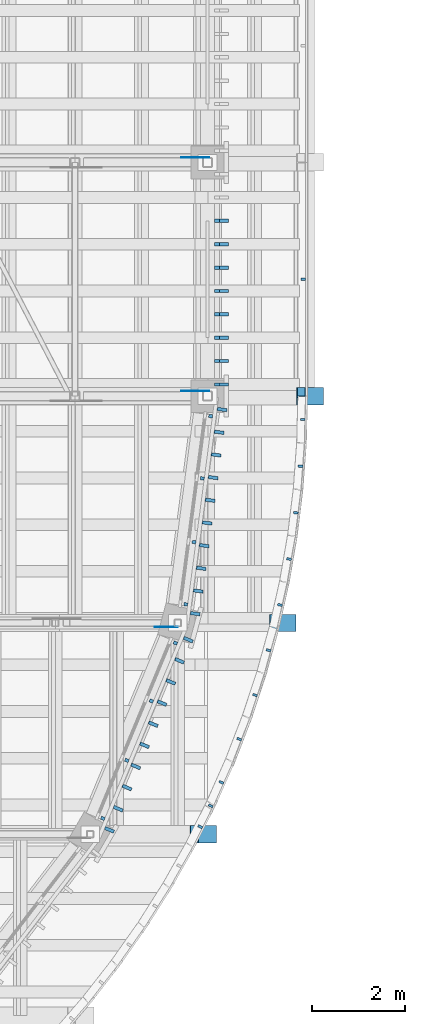
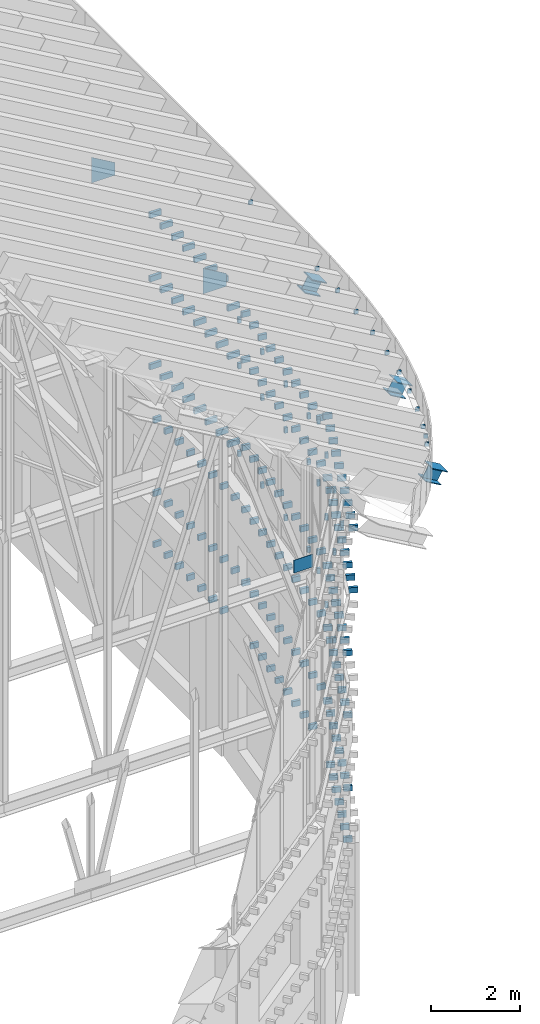
# One storey, part 72 of 105: 196 discrete accessories.
"""IFC4 building model written with IfcOpenShell, lengths in metres."""

import ifcopenshell
import ifcopenshell.guid

model = None  # the IFC model being written
_history = None  # IfcOwnerHistory: only IFC2X3 demands one
_inside = {}  # id of a spatial element -> (the spatial element, [elements in it])
_under = {}  # id of a project, library or spatial element -> (it, [spatial elements below it])
_declared = {}  # id of a project -> (the project, [libraries it declares])
_typed = {}  # id of a type object -> (the type object, [elements of that type])
_made_of = {}  # id of a material, layer set ... -> (it, [elements and type objects made of it])


def new_model(schema):
    """Start an empty IFC model of exactly this schema.

    Asked for "IFC4X3", IfcOpenShell would pick the latest addendum, in which some entities
    have other attributes; the version numbers below select the first issue.
    IFC2X3 requires an IfcOwnerHistory on every rooted entity: one is made here for all.
    """
    global model, _history
    if schema == "IFC4X3":
        model = ifcopenshell.file(schema_version=(4, 3, 0, 0))
    else:
        model = ifcopenshell.file(schema=schema)
    _inside.clear()
    _under.clear()
    _declared.clear()
    _typed.clear()
    _made_of.clear()
    _history = None
    if model.schema == "IFC2X3":
        org = make("IfcOrganization", Name="unknown")
        user = make(
            "IfcPersonAndOrganization",
            ThePerson=make("IfcPerson", FamilyName="unknown"),
            TheOrganization=org,
        )
        app = make(
            "IfcApplication",
            ApplicationDeveloper=org,
            Version="unknown",
            ApplicationFullName="unknown",
            ApplicationIdentifier="unknown",
        )
        _history = make(
            "IfcOwnerHistory",
            OwningUser=user,
            OwningApplication=app,
            ChangeAction="ADDED",
            CreationDate=0,
        )
    return model


def make(cls, **values):
    """One entity of the class cls with the attributes given. An attribute that is None is left unset."""
    return model.create_entity(
        cls, **{name: value for name, value in values.items() if value is not None}
    )


def rooted(cls, **values):
    """An entity with a GlobalId (a new one), such as an element, a storey or a relation."""
    return make(cls, GlobalId=ifcopenshell.guid.new(), OwnerHistory=_history, **values)


def si_unit(unit_type, name, prefix=None):
    """IfcSIUnit, for example si_unit("LENGTHUNIT", "METRE", prefix="MILLI")."""
    return make("IfcSIUnit", UnitType=unit_type, Prefix=prefix, Name=name)


def assignment(units):
    """IfcUnitAssignment: the units of a project."""
    return None if units is None else make("IfcUnitAssignment", Units=units)


def point(xyz):
    """IfcCartesianPoint."""
    return None if xyz is None else make("IfcCartesianPoint", Coordinates=xyz)


def direction(xyz):
    """IfcDirection."""
    return None if xyz is None else make("IfcDirection", DirectionRatios=xyz)


def frame(location, z_axis=None, x_axis=None):
    """IfcAxis2Placement3D, a coordinate frame: its origin and axes. An axis left out is left unset."""
    return make(
        "IfcAxis2Placement3D",
        Location=point(location),
        Axis=direction(z_axis),
        RefDirection=direction(x_axis),
    )


def frame_2d(location, x_axis=None):
    """IfcAxis2Placement2D, a coordinate frame in the plane: its origin and x axis."""
    return make(
        "IfcAxis2Placement2D", Location=point(location), RefDirection=direction(x_axis)
    )


def origin():
    """The frame at (0, 0, 0) with its axes left unset."""
    return frame((0.0, 0.0, 0.0))


def origin_2d():
    """The frame at (0, 0) in the plane with its x axis left unset."""
    return frame_2d((0.0, 0.0))


def place(relative_to, where):
    """IfcLocalPlacement: puts the frame where relative to a parent placement (None: the world)."""
    return make(
        "IfcLocalPlacement", PlacementRelTo=relative_to, RelativePlacement=where
    )


def context(
    kind, dimensions, precision=None, world=None, true_north=None, identifier=None
):
    """IfcGeometricRepresentationContext, for example the 3D "Model" context."""
    return make(
        "IfcGeometricRepresentationContext",
        ContextIdentifier=identifier,
        ContextType=kind,
        CoordinateSpaceDimension=dimensions,
        Precision=precision,
        WorldCoordinateSystem=world,
        TrueNorth=true_north,
    )


def subcontext(parent, identifier, kind, view, scale=None):
    """IfcGeometricRepresentationSubContext, for example "Body" below "Model"."""
    return make(
        "IfcGeometricRepresentationSubContext",
        ContextIdentifier=identifier,
        ContextType=kind,
        ParentContext=parent,
        TargetScale=scale,
        TargetView=view,
    )


def project(units=None, contexts=None):
    """IfcProject with its units and contexts."""
    return rooted(
        "IfcProject",
        Name="project",
        RepresentationContexts=contexts,
        UnitsInContext=assignment(units),
    )


def spatial(cls, under=None, at=None, **own):
    """A site, building, storey or space (cls), placed at a placement, below another one or the project."""
    s = rooted(cls, ObjectPlacement=at, **own)
    if under is not None:
        _under.setdefault(under.id(), (under, []))[1].append(s)
    return s


def polyline(points):
    """IfcPolyline through the points."""
    return make("IfcPolyline", Points=[point(p) for p in points])


def profile(cls, at=None, kind="AREA", **sizes):
    """A parametric profile (cls). Its sizes go by their IFC names, for example OverallWidth=200.0."""
    return make(cls, ProfileType=kind, Position=at, **sizes)


def rectangle(**sizes):
    """IfcRectangleProfileDef."""
    return profile("IfcRectangleProfileDef", **sizes)


def i_section(**sizes):
    """IfcIShapeProfileDef."""
    return profile("IfcIShapeProfileDef", **sizes)


def outline(outer, holes=None, kind="AREA"):
    """IfcArbitraryClosedProfileDef: a profile drawn as a closed curve; with holes, ...WithVoids."""
    if holes is None:
        return make("IfcArbitraryClosedProfileDef", ProfileType=kind, OuterCurve=outer)
    return make(
        "IfcArbitraryProfileDefWithVoids",
        ProfileType=kind,
        OuterCurve=outer,
        InnerCurves=holes,
    )


def extrude(swept, where, along, depth):
    """IfcExtrudedAreaSolid: the profile swept, set in the frame where, extruded along a direction by depth."""
    return make(
        "IfcExtrudedAreaSolid",
        SweptArea=swept,
        Position=where,
        ExtrudedDirection=direction(along),
        Depth=depth,
    )


def shape(context_of_items, identifier, shape_type, items):
    """IfcShapeRepresentation: the items that make up one representation, for example the "Body"."""
    return make(
        "IfcShapeRepresentation",
        ContextOfItems=context_of_items,
        RepresentationIdentifier=identifier,
        RepresentationType=shape_type,
        Items=items,
    )


def material(Name=None, Category=None):
    """IfcMaterial."""
    return make("IfcMaterial", Name=Name, Category=Category)


def material_profile(
    of_material, cross_section, Name=None, Category=None, Priority=None
):
    """IfcMaterialProfile: a cross section and its material."""
    return make(
        "IfcMaterialProfile",
        Name=Name,
        Material=of_material,
        Profile=cross_section,
        Priority=Priority,
        Category=Category,
    )


def profile_set(profiles, Name=None, composite=None):
    """IfcMaterialProfileSet."""
    return make(
        "IfcMaterialProfileSet",
        Name=Name,
        MaterialProfiles=profiles,
        CompositeProfile=composite,
    )


def made_of(thing, what):
    """Note that an element or type object is made of a material, layer set ...; save() writes the relation."""
    if what is not None:
        _made_of.setdefault(what.id(), (what, []))[1].append(thing)
    return thing


def type_object(cls, material=None, **own):
    """A type object (cls), such as IfcWallType, which elements share."""
    return made_of(rooted(cls, **own), material)


def element(
    cls,
    number,
    at=None,
    inside=None,
    cuts=None,
    type_object=None,
    material=None,
    context=None,
    identifier="Body",
    shape_type=None,
    held_by="IfcProductDefinitionShape",
    body=None,
    shapes=None,
    **own,
):
    """One element of the class cls, such as IfcWall. Its Tag is "e" and its number.

    at: its placement. inside: the storey or other place that contains it. cuts: it is an
    opening in that element (IfcRelVoidsElement). A single representation is given by context,
    identifier, shape_type and body (its items); several are given by shapes. held_by: the class
    of the entity that holds the representations. save() writes the other relations.
    """
    e = rooted(cls, Tag="e%d" % number, ObjectPlacement=at, **own)
    if body is not None:
        shapes = [shape(context, identifier, shape_type, body)]
    if shapes is not None:
        e.Representation = make(held_by, Representations=shapes)
    if inside is not None:
        _inside.setdefault(inside.id(), (inside, []))[1].append(e)
    if cuts is not None:
        rooted(
            "IfcRelVoidsElement", RelatingBuildingElement=cuts, RelatedOpeningElement=e
        )
    if type_object is not None:
        _typed.setdefault(type_object.id(), (type_object, []))[1].append(e)
    return made_of(e, material)


def aggregate(whole, parts):
    """IfcRelAggregates: a whole, such as a stair, and the parts it consists of."""
    return rooted("IfcRelAggregates", RelatingObject=whole, RelatedObjects=parts)


def save(model, path):
    """Write the relations noted so far, then the file.

    IfcRelAggregates (storeys below a building ...), IfcRelContainedInSpatialStructure (elements
    in a storey), IfcRelDefinesByType, IfcRelAssociatesMaterial and IfcRelDeclares: one each for
    every whole, place, type object, material and project.
    """
    for whole, parts in _under.values():
        aggregate(whole, parts)
    for where, things in _inside.values():
        rooted(
            "IfcRelContainedInSpatialStructure",
            RelatedElements=things,
            RelatingStructure=where,
        )
    for kind, things in _typed.values():
        rooted("IfcRelDefinesByType", RelatedObjects=things, RelatingType=kind)
    for what, things in _made_of.values():
        rooted("IfcRelAssociatesMaterial", RelatedObjects=things, RelatingMaterial=what)
    for by, libraries in _declared.values():
        rooted("IfcRelDeclares", RelatingContext=by, RelatedDefinitions=libraries)
    model.write(path)


model = new_model("IFC4")

# Units and contexts
model_context = context("Model", 3, precision=1e-05, world=origin(), true_north=direction((0.0, 1.0)))
body_context = subcontext(model_context, "Body", "Model", "MODEL_VIEW")
ifc_project = project(units=[si_unit("LENGTHUNIT", "METRE"), si_unit("AREAUNIT", "SQUARE_METRE"), si_unit("VOLUMEUNIT", "CUBIC_METRE"), si_unit("PLANEANGLEUNIT", "RADIAN"), si_unit("MASSUNIT", "GRAM", prefix="KILO")], contexts=[model_context])

# Site, building, storey
site_placement = place(None, origin())
site = spatial("IfcSite", under=ifc_project, at=site_placement, CompositionType="ELEMENT")
building_placement = place(site_placement, origin())
building = spatial("IfcBuilding", under=site, at=building_placement, Name="Wasatch Bagh Community Centre", CompositionType="ELEMENT")
storey_placement = place(building_placement, frame((0.0, 0.0, 16.800048828125)))
storey = spatial("IfcBuildingStorey", under=building, at=storey_placement, Name="L04", CompositionType="ELEMENT", Elevation=16.800048828125)

# Discrete accessories
ifc_material_1 = material(Name="ASTM A36 steel", Category="steel")
discrete_accessory_type_1 = type_object("IfcDiscreteAccessoryType", Name="MH fascia bracket", PredefinedType="BRACKET", material=ifc_material_1)
for number, where, z_axis, x_axis, name in (
    (1, (56.787841796875, 34.49951171875, 12.54443359375), (0.0, 0.0, 1.0), (0.999698818696, -0.024541228523, 0.0), "Fascia bracket 1"),
    (2, (56.738525390625, 33.499755859375, 12.57275390625), (0.0, 0.0, 1.0), (0.997290456679, -0.0735645636, 0.0), "Fascia bracket 2"),
    (3, (56.640380859375, 32.503662109375, 12.629150390625), (0.0, 0.0, 1.0), (0.992479534599, -0.122410675199, 0.0), "Fascia bracket 3"),
    (4, (56.49365234375, 31.513427734375, 12.7138671875), (0.0, 0.0, 1.0), (0.985277642389, -0.17096188876, 0.0), "Fascia bracket 4"),
    (5, (56.29833984375, 30.53173828125, 12.826171875), (0.0, 0.0, 1.0), (0.975702130039, -0.219101240157, 0.0), "Fascia bracket 5"),
    (6, (56.05517578125, 29.560791015625, 12.96630859375), (0.0, 0.0, 1.0), (0.963776065795, -0.266712757475, 0.0), "Fascia bracket 6"),
    (7, (55.7646484375, 28.602783203125, 13.1337890625), (0.0, 0.0, 1.0), (0.949528180593, -0.313681740399, 0.0), "Fascia bracket 7"),
    (8, (55.42724609375, 27.660400390625, 13.327880859375), (0.0, 0.0, 1.0), (0.932992798835, -0.359895036535, 0.0), "Fascia bracket 8"),
    (9, (55.044189453125, 26.735595703125, 13.548583984375), (0.0, 0.0, 1.0), (0.914209755704, -0.405241314005, 0.0), "Fascia bracket 9"),
    (10, (54.81787109375, 26.23095703125, 13.6787109375), (0.0, 0.0, 1.0), (0.893224301196, -0.449611329655, 0.0), "Fascia bracket 10"),
    (11, (54.59326171875, 25.784912109375, 13.808349609375), (0.0, 0.0, 1.0), (0.893224301196, -0.449611329655, 0.0), "Fascia bracket 11"),
    (12, (56.800048828125, 37.5, 12.537353515625), (0.0, 0.0, 1.0), (1.0, 0.0, 0.0), "Fascia bracket 166"),
):
    element("IfcDiscreteAccessory", number, at=place(storey_placement, frame(where, z_axis=z_axis, x_axis=x_axis)), inside=storey, type_object=discrete_accessory_type_1, Name=name, PredefinedType="BRACKET", context=body_context, shape_type="SweptSolid", body=[
        extrude(rectangle(XDim=0.10009765625, YDim=0.050048828125, at=origin_2d()), origin(), (0.0, 0.0, 1.0), 0.10009765625),
    ])
discrete_accessory_type_2 = type_object("IfcDiscreteAccessoryType", Name="MH fin bracket", PredefinedType="BRACKET", material=ifc_material_1)
for number, where, z_axis, x_axis, name in (
    (13, (53.029541015625, 26.62158203125, 3.02490234375), (0.0, 0.0, 1.0), (0.382683432365, 0.923879532511, 0.0), "Fin bracket 11.3.4"),
    (14, (53.029541015625, 26.62158203125, 4.425048828125), (0.0, 0.0, 1.0), (0.382683432365, 0.923879532511, 0.0), "Fin bracket 11.3.5"),
    (15, (53.029541015625, 26.62158203125, 6.425048828125), (0.0, 0.0, 1.0), (0.382683432365, 0.923879532511, 0.0), "Fin bracket 11.3.6"),
    (16, (53.217041015625, 27.07373046875, 3.02490234375), (0.0, 0.0, 1.0), (0.382683432365, 0.923879532511, 0.0), "Fin bracket 11.4.4"),
    (17, (53.217041015625, 27.07373046875, 4.425048828125), (0.0, 0.0, 1.0), (0.382683432365, 0.923879532511, 0.0), "Fin bracket 11.4.5"),
    (18, (53.217041015625, 27.07373046875, 6.425048828125), (0.0, 0.0, 1.0), (0.382683432365, 0.923879532511, 0.0), "Fin bracket 11.4.6"),
    (19, (53.404296875, 27.526123046875, 3.02490234375), (0.0, 0.0, 1.0), (0.382683432365, 0.923879532511, 0.0), "Fin bracket 11.5.4"),
    (20, (53.404296875, 27.526123046875, 4.425048828125), (0.0, 0.0, 1.0), (0.382683432365, 0.923879532511, 0.0), "Fin bracket 11.5.5"),
    (21, (53.404296875, 27.526123046875, 6.425048828125), (0.0, 0.0, 1.0), (0.382683432365, 0.923879532511, 0.0), "Fin bracket 11.5.6"),
    (22, (53.591552734375, 27.978271484375, 3.02490234375), (0.0, 0.0, 1.0), (0.382683432365, 0.923879532511, 0.0), "Fin bracket 11.6.4"),
    (23, (53.591552734375, 27.978271484375, 4.425048828125), (0.0, 0.0, 1.0), (0.382683432365, 0.923879532511, 0.0), "Fin bracket 11.6.5"),
    (24, (53.591552734375, 27.978271484375, 6.425048828125), (0.0, 0.0, 1.0), (0.382683432365, 0.923879532511, 0.0), "Fin bracket 11.6.6"),
    (25, (53.77880859375, 28.430419921875, 3.02490234375), (0.0, 0.0, 1.0), (0.382683432365, 0.923879532511, 0.0), "Fin bracket 11.7.4"),
    (26, (53.77880859375, 28.430419921875, 4.425048828125), (0.0, 0.0, 1.0), (0.382683432365, 0.923879532511, 0.0), "Fin bracket 11.7.5"),
    (27, (53.77880859375, 28.430419921875, 6.425048828125), (0.0, 0.0, 1.0), (0.382683432365, 0.923879532511, 0.0), "Fin bracket 11.7.6"),
    (28, (53.966064453125, 28.882568359375, 3.02490234375), (0.0, 0.0, 1.0), (0.382683432365, 0.923879532511, 0.0), "Fin bracket 11.8.4"),
    (29, (53.966064453125, 28.882568359375, 4.425048828125), (0.0, 0.0, 1.0), (0.382683432365, 0.923879532511, 0.0), "Fin bracket 11.8.5"),
    (30, (53.966064453125, 28.882568359375, 6.425048828125), (0.0, 0.0, 1.0), (0.382683432365, 0.923879532511, 0.0), "Fin bracket 11.8.6"),
    (31, (54.153564453125, 29.3349609375, 3.02490234375), (0.0, 0.0, 1.0), (0.382683432365, 0.923879532511, 0.0), "Fin bracket 11.9.4"),
    (32, (54.153564453125, 29.3349609375, 4.425048828125), (0.0, 0.0, 1.0), (0.382683432365, 0.923879532511, 0.0), "Fin bracket 11.9.5"),
    (33, (54.153564453125, 29.3349609375, 6.425048828125), (0.0, 0.0, 1.0), (0.382683432365, 0.923879532511, 0.0), "Fin bracket 11.9.6"),
    (34, (54.3408203125, 29.787109375, 4.425048828125), (0.0, 0.0, 1.0), (0.382683432365, 0.923879532511, 0.0), "Fin bracket 11.10.5"),
    (35, (54.3408203125, 29.787109375, 6.425048828125), (0.0, 0.0, 1.0), (0.382683432365, 0.923879532511, 0.0), "Fin bracket 11.10.6"),
    (36, (54.489990234375, 30.343994140625, 4.425048828125), (0.0, 0.0, 1.0), (0.13052619222, 0.991444861374, 0.0), "Fin bracket 12.1.5"),
    (37, (54.489990234375, 30.343994140625, 6.425048828125), (0.0, 0.0, 1.0), (0.13052619222, 0.991444861374, 0.0), "Fin bracket 12.1.6"),
    (38, (54.553955078125, 30.829345703125, 3.02490234375), (0.0, 0.0, 1.0), (0.13052619222, 0.991444861374, 0.0), "Fin bracket 12.2.4"),
    (39, (54.553955078125, 30.829345703125, 4.425048828125), (0.0, 0.0, 1.0), (0.13052619222, 0.991444861374, 0.0), "Fin bracket 12.2.5"),
    (40, (54.553955078125, 30.829345703125, 6.425048828125), (0.0, 0.0, 1.0), (0.13052619222, 0.991444861374, 0.0), "Fin bracket 12.2.6"),
    (41, (54.617919921875, 31.314697265625, 3.02490234375), (0.0, 0.0, 1.0), (0.13052619222, 0.991444861374, 0.0), "Fin bracket 12.3.4"),
    (42, (54.617919921875, 31.314697265625, 4.425048828125), (0.0, 0.0, 1.0), (0.13052619222, 0.991444861374, 0.0), "Fin bracket 12.3.5"),
    (43, (54.617919921875, 31.314697265625, 6.425048828125), (0.0, 0.0, 1.0), (0.13052619222, 0.991444861374, 0.0), "Fin bracket 12.3.6"),
    (44, (54.681640625, 31.800048828125, 3.02490234375), (0.0, 0.0, 1.0), (0.13052619222, 0.991444861374, 0.0), "Fin bracket 12.4.4"),
    (45, (54.681640625, 31.800048828125, 4.425048828125), (0.0, 0.0, 1.0), (0.13052619222, 0.991444861374, 0.0), "Fin bracket 12.4.5"),
    (46, (54.681640625, 31.800048828125, 6.425048828125), (0.0, 0.0, 1.0), (0.13052619222, 0.991444861374, 0.0), "Fin bracket 12.4.6"),
    (47, (54.74560546875, 32.28515625, 3.02490234375), (0.0, 0.0, 1.0), (0.13052619222, 0.991444861374, 0.0), "Fin bracket 12.5.4"),
    (48, (54.74560546875, 32.28515625, 4.425048828125), (0.0, 0.0, 1.0), (0.13052619222, 0.991444861374, 0.0), "Fin bracket 12.5.5"),
    (49, (54.74560546875, 32.28515625, 6.425048828125), (0.0, 0.0, 1.0), (0.13052619222, 0.991444861374, 0.0), "Fin bracket 12.5.6"),
    (50, (54.8095703125, 32.7705078125, 3.02490234375), (0.0, 0.0, 1.0), (0.13052619222, 0.991444861374, 0.0), "Fin bracket 12.6.4"),
    (51, (54.8095703125, 32.7705078125, 4.425048828125), (0.0, 0.0, 1.0), (0.13052619222, 0.991444861374, 0.0), "Fin bracket 12.6.5"),
    (52, (54.8095703125, 32.7705078125, 6.425048828125), (0.0, 0.0, 1.0), (0.13052619222, 0.991444861374, 0.0), "Fin bracket 12.6.6"),
    (53, (54.873291015625, 33.255859375, 3.02490234375), (0.0, 0.0, 1.0), (0.13052619222, 0.991444861374, 0.0), "Fin bracket 12.7.4"),
    (54, (54.873291015625, 33.255859375, 4.425048828125), (0.0, 0.0, 1.0), (0.13052619222, 0.991444861374, 0.0), "Fin bracket 12.7.5"),
    (55, (54.873291015625, 33.255859375, 6.425048828125), (0.0, 0.0, 1.0), (0.13052619222, 0.991444861374, 0.0), "Fin bracket 12.7.6"),
    (56, (54.937255859375, 33.7412109375, 3.02490234375), (0.0, 0.0, 1.0), (0.13052619222, 0.991444861374, 0.0), "Fin bracket 12.8.4"),
    (57, (54.937255859375, 33.7412109375, 4.425048828125), (0.0, 0.0, 1.0), (0.13052619222, 0.991444861374, 0.0), "Fin bracket 12.8.5"),
    (58, (54.937255859375, 33.7412109375, 6.425048828125), (0.0, 0.0, 1.0), (0.13052619222, 0.991444861374, 0.0), "Fin bracket 12.8.6"),
    (59, (55.001220703125, 34.226318359375, 3.02490234375), (0.0, 0.0, 1.0), (0.13052619222, 0.991444861374, 0.0), "Fin bracket 12.9.4"),
    (60, (55.001220703125, 34.226318359375, 4.425048828125), (0.0, 0.0, 1.0), (0.13052619222, 0.991444861374, 0.0), "Fin bracket 12.9.5"),
    (61, (55.001220703125, 34.226318359375, 6.425048828125), (0.0, 0.0, 1.0), (0.13052619222, 0.991444861374, 0.0), "Fin bracket 12.9.6"),
    (62, (55.06494140625, 34.711669921875, 4.425048828125), (0.0, 0.0, 1.0), (0.13052619222, 0.991444861374, 0.0), "Fin bracket 12.10.5"),
    (63, (55.06494140625, 34.711669921875, 6.425048828125), (0.0, 0.0, 1.0), (0.13052619222, 0.991444861374, 0.0), "Fin bracket 12.10.6"),
    (64, (55.10009765625, 35.25, 4.425048828125), (0.0, 0.0, 1.0), (0.0, 1.0, 0.0), "Fin bracket 13.1.5"),
    (65, (55.10009765625, 35.25, 6.425048828125), (0.0, 0.0, 1.0), (0.0, 1.0, 0.0), "Fin bracket 13.1.6"),
    (66, (55.10009765625, 35.75, 3.02490234375), (0.0, 0.0, 1.0), (0.0, 1.0, 0.0), "Fin bracket 13.2.4"),
    (67, (55.10009765625, 35.75, 4.425048828125), (0.0, 0.0, 1.0), (0.0, 1.0, 0.0), "Fin bracket 13.2.5"),
    (68, (55.10009765625, 35.75, 6.425048828125), (0.0, 0.0, 1.0), (0.0, 1.0, 0.0), "Fin bracket 13.2.6"),
    (69, (55.10009765625, 36.25, 3.02490234375), (0.0, 0.0, 1.0), (0.0, 1.0, 0.0), "Fin bracket 13.3.4"),
    (70, (55.10009765625, 36.25, 4.425048828125), (0.0, 0.0, 1.0), (0.0, 1.0, 0.0), "Fin bracket 13.3.5"),
    (71, (55.10009765625, 36.25, 6.425048828125), (0.0, 0.0, 1.0), (0.0, 1.0, 0.0), "Fin bracket 13.3.6"),
    (72, (55.10009765625, 36.75, 3.02490234375), (0.0, 0.0, 1.0), (0.0, 1.0, 0.0), "Fin bracket 13.4.4"),
    (73, (55.10009765625, 36.75, 4.425048828125), (0.0, 0.0, 1.0), (0.0, 1.0, 0.0), "Fin bracket 13.4.5"),
    (74, (55.10009765625, 36.75, 6.425048828125), (0.0, 0.0, 1.0), (0.0, 1.0, 0.0), "Fin bracket 13.4.6"),
    (75, (55.10009765625, 37.25, 3.02490234375), (0.0, 0.0, 1.0), (0.0, 1.0, 0.0), "Fin bracket 13.5.4"),
    (76, (55.10009765625, 37.25, 4.425048828125), (0.0, 0.0, 1.0), (0.0, 1.0, 0.0), "Fin bracket 13.5.5"),
    (77, (55.10009765625, 37.25, 6.425048828125), (0.0, 0.0, 1.0), (0.0, 1.0, 0.0), "Fin bracket 13.5.6"),
    (78, (55.10009765625, 37.75, 3.02490234375), (0.0, 0.0, 1.0), (0.0, 1.0, 0.0), "Fin bracket 13.6.4"),
    (79, (55.10009765625, 37.75, 4.425048828125), (0.0, 0.0, 1.0), (0.0, 1.0, 0.0), "Fin bracket 13.6.5"),
    (80, (55.10009765625, 37.75, 6.425048828125), (0.0, 0.0, 1.0), (0.0, 1.0, 0.0), "Fin bracket 13.6.6"),
    (81, (55.10009765625, 38.25, 3.02490234375), (0.0, 0.0, 1.0), (0.0, 1.0, 0.0), "Fin bracket 13.7.4"),
    (82, (55.10009765625, 38.25, 4.425048828125), (0.0, 0.0, 1.0), (0.0, 1.0, 0.0), "Fin bracket 13.7.5"),
    (83, (55.10009765625, 38.25, 6.425048828125), (0.0, 0.0, 1.0), (0.0, 1.0, 0.0), "Fin bracket 13.7.6"),
    (84, (55.10009765625, 38.75, 3.02490234375), (0.0, 0.0, 1.0), (0.0, 1.0, 0.0), "Fin bracket 13.8.4"),
    (85, (55.10009765625, 38.75, 4.425048828125), (0.0, 0.0, 1.0), (0.0, 1.0, 0.0), "Fin bracket 13.8.5"),
    (86, (55.10009765625, 38.75, 6.425048828125), (0.0, 0.0, 1.0), (0.0, 1.0, 0.0), "Fin bracket 13.8.6"),
):
    element("IfcDiscreteAccessory", number, at=place(storey_placement, frame(where, z_axis=z_axis, x_axis=x_axis)), inside=storey, type_object=discrete_accessory_type_2, Name=name, PredefinedType="BRACKET", context=body_context, shape_type="SweptSolid", body=[
        extrude(rectangle(XDim=0.070068359375, YDim=0.199951171875, at=origin_2d()), origin(), (0.0, 0.0, 1.0), 0.14990234375),
    ])
discrete_accessory_type_3 = type_object("IfcDiscreteAccessoryType", Name="MH fin bracket (rail)", PredefinedType="BRACKET", material=ifc_material_1)
for number, where, z_axis, x_axis, name in (
    (87, (53.02490234375, 26.62353515625, 8.125), (0.0, 0.0, 1.0), (0.382683432365, 0.923879532511, 0.0), "Fin bracket 11.3.r1"),
    (88, (53.21240234375, 27.07568359375, 8.125), (0.0, 0.0, 1.0), (0.382683432365, 0.923879532511, 0.0), "Fin bracket 11.4.r1"),
    (89, (53.399658203125, 27.52783203125, 8.125), (0.0, 0.0, 1.0), (0.382683432365, 0.923879532511, 0.0), "Fin bracket 11.5.r1"),
    (90, (53.5869140625, 27.980224609375, 8.125), (0.0, 0.0, 1.0), (0.382683432365, 0.923879532511, 0.0), "Fin bracket 11.6.r1"),
    (91, (53.774169921875, 28.432373046875, 8.125), (0.0, 0.0, 1.0), (0.382683432365, 0.923879532511, 0.0), "Fin bracket 11.7.r1"),
    (92, (53.961669921875, 28.884521484375, 8.125), (0.0, 0.0, 1.0), (0.382683432365, 0.923879532511, 0.0), "Fin bracket 11.8.r1"),
    (93, (54.14892578125, 29.3369140625, 8.125), (0.0, 0.0, 1.0), (0.382683432365, 0.923879532511, 0.0), "Fin bracket 11.9.r1"),
    (94, (54.336181640625, 29.7890625, 8.125), (0.0, 0.0, 1.0), (0.382683432365, 0.923879532511, 0.0), "Fin bracket 11.10.r1"),
    (95, (52.650390625, 25.718994140625, 10.52490234375), (0.0, 0.0, 1.0), (0.382683432365, 0.923879532511, 0.0), "Fin bracket 11.1.r2"),
    (96, (52.837646484375, 26.17138671875, 10.52490234375), (0.0, 0.0, 1.0), (0.382683432365, 0.923879532511, 0.0), "Fin bracket 11.2.r2"),
    (97, (53.02490234375, 26.62353515625, 10.52490234375), (0.0, 0.0, 1.0), (0.382683432365, 0.923879532511, 0.0), "Fin bracket 11.3.r2"),
    (98, (53.21240234375, 27.07568359375, 10.52490234375), (0.0, 0.0, 1.0), (0.382683432365, 0.923879532511, 0.0), "Fin bracket 11.4.r2"),
    (99, (53.399658203125, 27.52783203125, 10.52490234375), (0.0, 0.0, 1.0), (0.382683432365, 0.923879532511, 0.0), "Fin bracket 11.5.r2"),
    (100, (53.5869140625, 27.980224609375, 10.52490234375), (0.0, 0.0, 1.0), (0.382683432365, 0.923879532511, 0.0), "Fin bracket 11.6.r2"),
    (101, (53.774169921875, 28.432373046875, 10.52490234375), (0.0, 0.0, 1.0), (0.382683432365, 0.923879532511, 0.0), "Fin bracket 11.7.r2"),
    (102, (53.961669921875, 28.884521484375, 10.52490234375), (0.0, 0.0, 1.0), (0.382683432365, 0.923879532511, 0.0), "Fin bracket 11.8.r2"),
    (103, (54.14892578125, 29.3369140625, 10.52490234375), (0.0, 0.0, 1.0), (0.382683432365, 0.923879532511, 0.0), "Fin bracket 11.9.r2"),
    (104, (54.336181640625, 29.7890625, 10.52490234375), (0.0, 0.0, 1.0), (0.382683432365, 0.923879532511, 0.0), "Fin bracket 11.10.r2"),
    (105, (52.650390625, 25.718994140625, 12.215087890625), (0.0, 0.0, 1.0), (0.382683432365, 0.923879532511, 0.0), "Fin bracket 11.1.r3"),
    (106, (52.837646484375, 26.17138671875, 12.215087890625), (0.0, 0.0, 1.0), (0.382683432365, 0.923879532511, 0.0), "Fin bracket 11.2.r3"),
    (107, (53.02490234375, 26.62353515625, 12.215087890625), (0.0, 0.0, 1.0), (0.382683432365, 0.923879532511, 0.0), "Fin bracket 11.3.r3"),
    (108, (53.21240234375, 27.07568359375, 12.215087890625), (0.0, 0.0, 1.0), (0.382683432365, 0.923879532511, 0.0), "Fin bracket 11.4.r3"),
    (109, (53.399658203125, 27.52783203125, 12.215087890625), (0.0, 0.0, 1.0), (0.382683432365, 0.923879532511, 0.0), "Fin bracket 11.5.r3"),
    (110, (53.5869140625, 27.980224609375, 12.215087890625), (0.0, 0.0, 1.0), (0.382683432365, 0.923879532511, 0.0), "Fin bracket 11.6.r3"),
    (111, (53.774169921875, 28.432373046875, 12.215087890625), (0.0, 0.0, 1.0), (0.382683432365, 0.923879532511, 0.0), "Fin bracket 11.7.r3"),
    (112, (53.961669921875, 28.884521484375, 12.215087890625), (0.0, 0.0, 1.0), (0.382683432365, 0.923879532511, 0.0), "Fin bracket 11.8.r3"),
    (113, (54.14892578125, 29.3369140625, 12.215087890625), (0.0, 0.0, 1.0), (0.382683432365, 0.923879532511, 0.0), "Fin bracket 11.9.r3"),
    (114, (54.336181640625, 29.7890625, 12.215087890625), (0.0, 0.0, 1.0), (0.382683432365, 0.923879532511, 0.0), "Fin bracket 11.10.r3"),
    (115, (54.485107421875, 30.3447265625, 8.125), (0.0, 0.0, 1.0), (0.13052619222, 0.991444861374, 0.0), "Fin bracket 12.1.r1"),
    (116, (54.549072265625, 30.830078125, 8.125), (0.0, 0.0, 1.0), (0.13052619222, 0.991444861374, 0.0), "Fin bracket 12.2.r1"),
    (117, (54.61279296875, 31.3154296875, 8.125), (0.0, 0.0, 1.0), (0.13052619222, 0.991444861374, 0.0), "Fin bracket 12.3.r1"),
    (118, (54.6767578125, 31.800537109375, 8.125), (0.0, 0.0, 1.0), (0.13052619222, 0.991444861374, 0.0), "Fin bracket 12.4.r1"),
    (119, (54.74072265625, 32.285888671875, 8.125), (0.0, 0.0, 1.0), (0.13052619222, 0.991444861374, 0.0), "Fin bracket 12.5.r1"),
    (120, (54.804443359375, 32.771240234375, 8.125), (0.0, 0.0, 1.0), (0.13052619222, 0.991444861374, 0.0), "Fin bracket 12.6.r1"),
    (121, (54.868408203125, 33.25634765625, 8.125), (0.0, 0.0, 1.0), (0.13052619222, 0.991444861374, 0.0), "Fin bracket 12.7.r1"),
    (122, (54.932373046875, 33.74169921875, 8.125), (0.0, 0.0, 1.0), (0.13052619222, 0.991444861374, 0.0), "Fin bracket 12.8.r1"),
    (123, (54.99609375, 34.22705078125, 8.125), (0.0, 0.0, 1.0), (0.13052619222, 0.991444861374, 0.0), "Fin bracket 12.9.r1"),
    (124, (55.06005859375, 34.71240234375, 8.125), (0.0, 0.0, 1.0), (0.13052619222, 0.991444861374, 0.0), "Fin bracket 12.10.r1"),
    (125, (54.485107421875, 30.3447265625, 10.52490234375), (0.0, 0.0, 1.0), (0.13052619222, 0.991444861374, 0.0), "Fin bracket 12.1.r2"),
    (126, (54.549072265625, 30.830078125, 10.52490234375), (0.0, 0.0, 1.0), (0.13052619222, 0.991444861374, 0.0), "Fin bracket 12.2.r2"),
    (127, (54.61279296875, 31.3154296875, 10.52490234375), (0.0, 0.0, 1.0), (0.13052619222, 0.991444861374, 0.0), "Fin bracket 12.3.r2"),
    (128, (54.6767578125, 31.800537109375, 10.52490234375), (0.0, 0.0, 1.0), (0.13052619222, 0.991444861374, 0.0), "Fin bracket 12.4.r2"),
    (129, (54.74072265625, 32.285888671875, 10.52490234375), (0.0, 0.0, 1.0), (0.13052619222, 0.991444861374, 0.0), "Fin bracket 12.5.r2"),
    (130, (54.804443359375, 32.771240234375, 10.52490234375), (0.0, 0.0, 1.0), (0.13052619222, 0.991444861374, 0.0), "Fin bracket 12.6.r2"),
    (131, (54.868408203125, 33.25634765625, 10.52490234375), (0.0, 0.0, 1.0), (0.13052619222, 0.991444861374, 0.0), "Fin bracket 12.7.r2"),
    (132, (54.932373046875, 33.74169921875, 10.52490234375), (0.0, 0.0, 1.0), (0.13052619222, 0.991444861374, 0.0), "Fin bracket 12.8.r2"),
    (133, (54.99609375, 34.22705078125, 10.52490234375), (0.0, 0.0, 1.0), (0.13052619222, 0.991444861374, 0.0), "Fin bracket 12.9.r2"),
    (134, (55.06005859375, 34.71240234375, 10.52490234375), (0.0, 0.0, 1.0), (0.13052619222, 0.991444861374, 0.0), "Fin bracket 12.10.r2"),
    (135, (54.485107421875, 30.3447265625, 11.77490234375), (0.0, 0.0, 1.0), (0.13052619222, 0.991444861374, 0.0), "Fin bracket 12.1.r3"),
    (136, (54.549072265625, 30.830078125, 11.77490234375), (0.0, 0.0, 1.0), (0.13052619222, 0.991444861374, 0.0), "Fin bracket 12.2.r3"),
    (137, (54.61279296875, 31.3154296875, 11.77490234375), (0.0, 0.0, 1.0), (0.13052619222, 0.991444861374, 0.0), "Fin bracket 12.3.r3"),
    (138, (54.6767578125, 31.800537109375, 11.77490234375), (0.0, 0.0, 1.0), (0.13052619222, 0.991444861374, 0.0), "Fin bracket 12.4.r3"),
    (139, (54.74072265625, 32.285888671875, 11.77490234375), (0.0, 0.0, 1.0), (0.13052619222, 0.991444861374, 0.0), "Fin bracket 12.5.r3"),
    (140, (54.804443359375, 32.771240234375, 11.77490234375), (0.0, 0.0, 1.0), (0.13052619222, 0.991444861374, 0.0), "Fin bracket 12.6.r3"),
    (141, (54.868408203125, 33.25634765625, 11.77490234375), (0.0, 0.0, 1.0), (0.13052619222, 0.991444861374, 0.0), "Fin bracket 12.7.r3"),
    (142, (54.932373046875, 33.74169921875, 11.77490234375), (0.0, 0.0, 1.0), (0.13052619222, 0.991444861374, 0.0), "Fin bracket 12.8.r3"),
    (143, (54.99609375, 34.22705078125, 11.77490234375), (0.0, 0.0, 1.0), (0.13052619222, 0.991444861374, 0.0), "Fin bracket 12.9.r3"),
    (144, (55.06005859375, 34.71240234375, 11.77490234375), (0.0, 0.0, 1.0), (0.13052619222, 0.991444861374, 0.0), "Fin bracket 12.10.r3"),
):
    element("IfcDiscreteAccessory", number, at=place(storey_placement, frame(where, z_axis=z_axis, x_axis=x_axis)), inside=storey, type_object=discrete_accessory_type_3, Name=name, PredefinedType="BRACKET", context=body_context, shape_type="SweptSolid", body=[
        extrude(rectangle(XDim=0.070068359375, YDim=0.2099609375, at=origin_2d()), origin(), (0.0, 0.0, 1.0), 0.14990234375),
    ])
discrete_accessory_type_4 = type_object("IfcDiscreteAccessoryType", Name="MH fin bracket (upstand)", PredefinedType="BRACKET", material=ifc_material_1)
for number, where, z_axis, x_axis, name in (
    (145, (55.050048828125, 35.25, 7.925048828125), (0.0, 0.0, 1.0), (0.0, 1.0, 0.0), "Fin bracket 13.1.7"),
    (146, (55.050048828125, 35.25, 10.324951171875), (0.0, 0.0, 1.0), (0.0, 1.0, 0.0), "Fin bracket 13.1.8"),
    (147, (55.050048828125, 35.25, 11.64501953125), (0.0, 0.0, 1.0), (0.0, 1.0, 0.0), "Fin bracket 13.1.9"),
    (148, (55.050048828125, 35.75, 7.925048828125), (0.0, 0.0, 1.0), (0.0, 1.0, 0.0), "Fin bracket 13.2.7"),
    (149, (55.050048828125, 35.75, 10.324951171875), (0.0, 0.0, 1.0), (0.0, 1.0, 0.0), "Fin bracket 13.2.8"),
    (150, (55.050048828125, 35.75, 12.06494140625), (0.0, 0.0, 1.0), (0.0, 1.0, 0.0), "Fin bracket 13.2.9"),
    (151, (55.050048828125, 36.25, 7.925048828125), (0.0, 0.0, 1.0), (0.0, 1.0, 0.0), "Fin bracket 13.3.7"),
    (152, (55.050048828125, 36.25, 10.324951171875), (0.0, 0.0, 1.0), (0.0, 1.0, 0.0), "Fin bracket 13.3.8"),
    (153, (55.050048828125, 36.25, 12.06494140625), (0.0, 0.0, 1.0), (0.0, 1.0, 0.0), "Fin bracket 13.3.9"),
    (154, (55.050048828125, 36.75, 7.925048828125), (0.0, 0.0, 1.0), (0.0, 1.0, 0.0), "Fin bracket 13.4.7"),
    (155, (55.050048828125, 36.75, 10.324951171875), (0.0, 0.0, 1.0), (0.0, 1.0, 0.0), "Fin bracket 13.4.8"),
    (156, (55.050048828125, 36.75, 12.06494140625), (0.0, 0.0, 1.0), (0.0, 1.0, 0.0), "Fin bracket 13.4.9"),
    (157, (55.050048828125, 37.25, 7.925048828125), (0.0, 0.0, 1.0), (0.0, 1.0, 0.0), "Fin bracket 13.5.7"),
    (158, (55.050048828125, 37.25, 10.324951171875), (0.0, 0.0, 1.0), (0.0, 1.0, 0.0), "Fin bracket 13.5.8"),
    (159, (55.050048828125, 37.25, 12.06494140625), (0.0, 0.0, 1.0), (0.0, 1.0, 0.0), "Fin bracket 13.5.9"),
    (160, (55.050048828125, 37.75, 7.925048828125), (0.0, 0.0, 1.0), (0.0, 1.0, 0.0), "Fin bracket 13.6.7"),
    (161, (55.050048828125, 37.75, 10.324951171875), (0.0, 0.0, 1.0), (0.0, 1.0, 0.0), "Fin bracket 13.6.8"),
    (162, (55.050048828125, 37.75, 12.06494140625), (0.0, 0.0, 1.0), (0.0, 1.0, 0.0), "Fin bracket 13.6.9"),
    (163, (55.050048828125, 38.25, 7.925048828125), (0.0, 0.0, 1.0), (0.0, 1.0, 0.0), "Fin bracket 13.7.7"),
    (164, (55.050048828125, 38.25, 10.324951171875), (0.0, 0.0, 1.0), (0.0, 1.0, 0.0), "Fin bracket 13.7.8"),
    (165, (55.050048828125, 38.25, 12.06494140625), (0.0, 0.0, 1.0), (0.0, 1.0, 0.0), "Fin bracket 13.7.9"),
    (166, (55.050048828125, 38.75, 7.925048828125), (0.0, 0.0, 1.0), (0.0, 1.0, 0.0), "Fin bracket 13.8.7"),
    (167, (55.050048828125, 38.75, 10.324951171875), (0.0, 0.0, 1.0), (0.0, 1.0, 0.0), "Fin bracket 13.8.8"),
    (168, (55.050048828125, 38.75, 12.06494140625), (0.0, 0.0, 1.0), (0.0, 1.0, 0.0), "Fin bracket 13.8.9"),
):
    element("IfcDiscreteAccessory", number, at=place(storey_placement, frame(where, z_axis=z_axis, x_axis=x_axis)), inside=storey, type_object=discrete_accessory_type_4, Name=name, PredefinedType="BRACKET", context=body_context, shape_type="SweptSolid", body=[
        extrude(rectangle(XDim=0.070068359375, YDim=0.300048828125, at=origin_2d()), origin(), (0.0, 0.0, 1.0), 0.14990234375),
    ])
discrete_accessory_type_5 = type_object("IfcDiscreteAccessoryType", Name="MH fin rail stand-off", PredefinedType="BRACKET", material=ifc_material_1)
for number, where, z_axis, x_axis, name in (
    (169, (53.0224609375, 27.20556640625, 8.125), (0.0, 0.0, 1.0), (0.382683432365, 0.923879532511, 0.0), "Rail stand-off 11.1.2"),
    (170, (53.54833984375, 28.474853515625, 8.125), (0.0, 0.0, 1.0), (0.382683432365, 0.923879532511, 0.0), "Rail stand-off 11.1.3"),
    (171, (54.0625, 29.716552734375, 8.125), (0.0, 0.0, 1.0), (0.382683432365, 0.923879532511, 0.0), "Rail stand-off 11.1.4"),
    (172, (53.0224609375, 27.20556640625, 10.52490234375), (0.0, 0.0, 1.0), (0.382683432365, 0.923879532511, 0.0), "Rail stand-off 11.2.2"),
    (173, (53.54833984375, 28.474853515625, 10.52490234375), (0.0, 0.0, 1.0), (0.382683432365, 0.923879532511, 0.0), "Rail stand-off 11.2.3"),
    (174, (54.0625, 29.716552734375, 10.52490234375), (0.0, 0.0, 1.0), (0.382683432365, 0.923879532511, 0.0), "Rail stand-off 11.2.4"),
    (175, (52.50830078125, 25.9638671875, 12.215087890625), (0.0, 0.0, 1.0), (0.382683432365, 0.923879532511, 0.0), "Rail stand-off 11.3.1"),
    (176, (53.0224609375, 27.20556640625, 12.215087890625), (0.0, 0.0, 1.0), (0.382683432365, 0.923879532511, 0.0), "Rail stand-off 11.3.2"),
    (177, (53.54833984375, 28.474853515625, 12.215087890625), (0.0, 0.0, 1.0), (0.382683432365, 0.923879532511, 0.0), "Rail stand-off 11.3.3"),
    (178, (54.0625, 29.716552734375, 12.215087890625), (0.0, 0.0, 1.0), (0.382683432365, 0.923879532511, 0.0), "Rail stand-off 11.3.4"),
    (179, (54.284423828125, 30.54443359375, 8.125), (0.0, 0.0, 1.0), (0.13052619222, 0.991444861374, 0.0), "Rail stand-off 12.1.1"),
    (180, (54.4599609375, 31.876708984375, 8.125), (0.0, 0.0, 1.0), (0.13052619222, 0.991444861374, 0.0), "Rail stand-off 12.1.2"),
    (181, (54.63916015625, 33.239013671875, 8.125), (0.0, 0.0, 1.0), (0.13052619222, 0.991444861374, 0.0), "Rail stand-off 12.1.3"),
    (182, (54.814697265625, 34.571533203125, 8.125), (0.0, 0.0, 1.0), (0.13052619222, 0.991444861374, 0.0), "Rail stand-off 12.1.4"),
    (183, (54.284423828125, 30.54443359375, 10.52490234375), (0.0, 0.0, 1.0), (0.13052619222, 0.991444861374, 0.0), "Rail stand-off 12.2.1"),
    (184, (54.4599609375, 31.876708984375, 10.52490234375), (0.0, 0.0, 1.0), (0.13052619222, 0.991444861374, 0.0), "Rail stand-off 12.2.2"),
    (185, (54.63916015625, 33.239013671875, 10.52490234375), (0.0, 0.0, 1.0), (0.13052619222, 0.991444861374, 0.0), "Rail stand-off 12.2.3"),
    (186, (54.814697265625, 34.571533203125, 10.52490234375), (0.0, 0.0, 1.0), (0.13052619222, 0.991444861374, 0.0), "Rail stand-off 12.2.4"),
    (187, (54.284423828125, 30.54443359375, 11.77490234375), (0.0, 0.0, 1.0), (0.13052619222, 0.991444861374, 0.0), "Rail stand-off 12.3.1"),
    (188, (54.4599609375, 31.876708984375, 11.77490234375), (0.0, 0.0, 1.0), (0.13052619222, 0.991444861374, 0.0), "Rail stand-off 12.3.2"),
    (189, (54.63916015625, 33.239013671875, 11.77490234375), (0.0, 0.0, 1.0), (0.13052619222, 0.991444861374, 0.0), "Rail stand-off 12.3.3"),
    (190, (54.814697265625, 34.571533203125, 11.77490234375), (0.0, 0.0, 1.0), (0.13052619222, 0.991444861374, 0.0), "Rail stand-off 12.3.4"),
):
    element("IfcDiscreteAccessory", number, at=place(storey_placement, frame(where, z_axis=z_axis, x_axis=x_axis)), inside=storey, type_object=discrete_accessory_type_5, Name=name, PredefinedType="BRACKET", context=body_context, shape_type="SweptSolid", body=[
        extrude(rectangle(XDim=0.070068359375, YDim=0.080078125, at=origin_2d()), origin(), (0.0, 0.0, 1.0), 0.14990234375),
    ])
ifc_material_2 = material(Name="ASTM A992 Grade 50 steel", Category="steel")
ifc_material_profile_1 = material_profile(ifc_material_2, i_section(OverallWidth=0.373291015625, OverallDepth=0.368408203125, WebThickness=0.014892578125, FlangeThickness=0.02392578125, at=origin_2d()), Name="W14x120")
ifc_profile_set_1 = profile_set([ifc_material_profile_1], Name="ASTM A992 Grade 50 steel")
discrete_accessory_type_6 = type_object("IfcDiscreteAccessoryType", Name="MH steel truss tail W14x120", PredefinedType="BRACKET", material=ifc_profile_set_1)
discrete_accessory_1_placement = place(storey_placement, frame((56.75, 35.0, 11.925048828125), z_axis=(0.866131372301, 0.0, -0.499816412211), x_axis=(0.0, 1.0, 0.0)))
element("IfcDiscreteAccessory", 191, at=discrete_accessory_1_placement, inside=storey, type_object=discrete_accessory_type_6, Name="Truss tail TA1", PredefinedType="BRACKET", context=body_context, shape_type="SweptSolid", body=[
    extrude(i_section(OverallWidth=0.373291015625, OverallDepth=0.368408203125, WebThickness=0.014892578125, FlangeThickness=0.02392578125, at=origin_2d()), origin(), (0.0, 0.0, 1.0), 0.449951171875),
])
ifc_material_profile_2 = material_profile(ifc_material_2, i_section(OverallWidth=0.368408203125, OverallDepth=0.355712890625, WebThickness=0.01123046875, FlangeThickness=0.01806640625, at=origin_2d()), Name="W14x90")
ifc_profile_set_2 = profile_set([ifc_material_profile_2], Name="ASTM A992 Grade 50 steel")
discrete_accessory_type_7 = type_object("IfcDiscreteAccessoryType", Name="MH steel truss tail W14x90", PredefinedType="BRACKET", material=ifc_profile_set_2)
discrete_accessory_2_placement = place(storey_placement, frame((56.162841796875, 30.147216796875, 12.271484375), z_axis=(0.866032067792, 0.0, -0.499988457423), x_axis=(0.0, 1.0, 0.0)))
element("IfcDiscreteAccessory", 192, at=discrete_accessory_2_placement, inside=storey, type_object=discrete_accessory_type_7, Name="Truss tail TS1", PredefinedType="BRACKET", context=body_context, shape_type="SweptSolid", body=[
    extrude(i_section(OverallWidth=0.368408203125, OverallDepth=0.355712890625, WebThickness=0.01123046875, FlangeThickness=0.01806640625, at=origin_2d()), origin(), (0.0, 0.0, 1.0), 0.4501953125),
])
discrete_accessory_3_placement = place(storey_placement, frame((54.4619140625, 25.625, 13.25341796875), z_axis=(0.866131372301, 0.0, -0.499816412211), x_axis=(0.0, 1.0, 0.0)))
element("IfcDiscreteAccessory", 193, at=discrete_accessory_3_placement, inside=storey, type_object=discrete_accessory_type_7, Name="Truss tail TS2", PredefinedType="BRACKET", context=body_context, shape_type="SweptSolid", body=[
    extrude(i_section(OverallWidth=0.368408203125, OverallDepth=0.355712890625, WebThickness=0.01123046875, FlangeThickness=0.01806640625, at=origin_2d()), origin(), (0.0, 0.0, 1.0), 0.449951171875),
])
for number, where, z_axis, x_axis, name in (
    (194, (54.190673828125, 35.114013671875, 13.148193359375), (0.0, 1.0, 0.0), (0.863026486211, 0.0, -0.505158672199), "Gusset plate"),
    (195, (54.190673828125, 40.114013671875, 13.148193359375), (0.0, 1.0, 0.0), (0.863026486211, 0.0, -0.505158672199), "Gusset plate"),
):
    element("IfcDiscreteAccessory", number, at=place(storey_placement, frame(where, z_axis=z_axis, x_axis=x_axis)), inside=storey, Name=name, PredefinedType="BRACKET", context=body_context, shape_type="SweptSolid", body=[
        extrude(outline(polyline([(0.0, 0.0), (0.6480985008127054, 5.551115123125783e-17), (0.6951609877723173, 0.00017584376551971204), (0.8718925251897516, 0.3021086940439254), (0.35420305335859825, 0.605129899511222), (0.0, 0.0)])), origin(), (0.0, 0.0, -1.0), 0.011962890625),
    ])
discrete_accessory_4_placement = place(storey_placement, frame((53.624755859375, 30.058349609375, 8.071044921875), z_axis=(0.0, -1.0, 0.0), x_axis=(1.0, 0.0, 0.0)))
element("IfcDiscreteAccessory", 196, at=discrete_accessory_4_placement, inside=storey, Name="Gusset plate", PredefinedType="BRACKET", context=body_context, shape_type="SweptSolid", body=[
    extrude(outline(polyline([(0.0, 0.0), (0.486328125, 0.0), (0.486328125, 0.35009765625), (0.0, 0.35009765625), (0.0, 0.0)])), origin(), (0.0, 0.0, -1.0), 0.011962890625),
])

save(model, "model.ifc")
